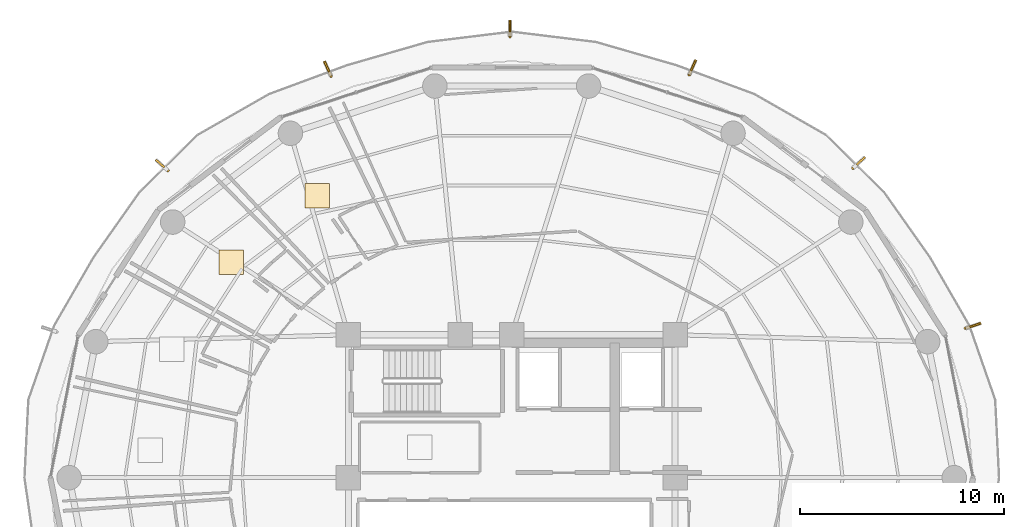
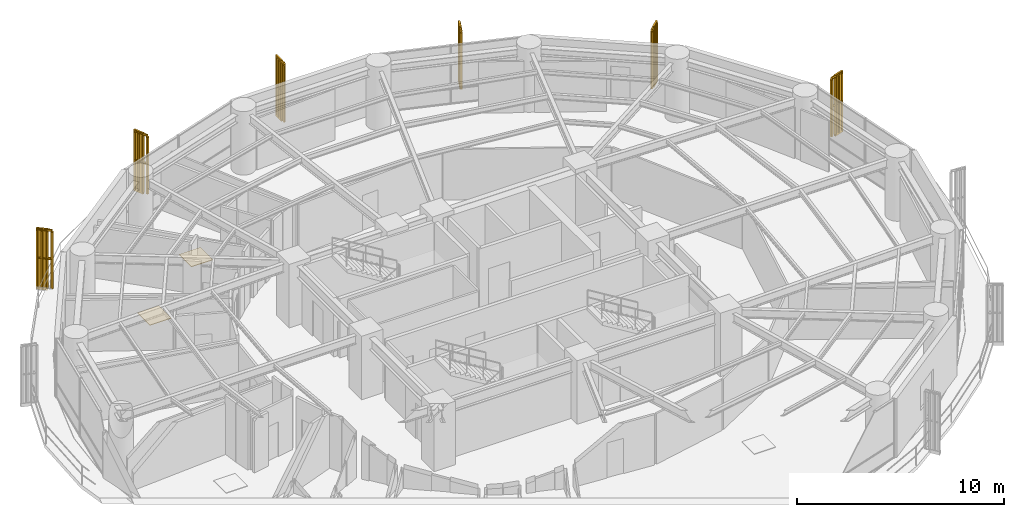
# One storey, part 28 of 28: 6 railings, 6 shading devices, 2 coverings.
"""IFC4 building model written with IfcOpenShell, lengths in metres."""

import ifcopenshell
import ifcopenshell.guid

model = None  # the IFC model being written
_history = None  # IfcOwnerHistory: only IFC2X3 demands one
_inside = {}  # id of a spatial element -> (the spatial element, [elements in it])
_under = {}  # id of a project, library or spatial element -> (it, [spatial elements below it])
_declared = {}  # id of a project -> (the project, [libraries it declares])
_typed = {}  # id of a type object -> (the type object, [elements of that type])
_made_of = {}  # id of a material, layer set ... -> (it, [elements and type objects made of it])


def new_model(schema):
    """Start an empty IFC model of exactly this schema.

    Asked for "IFC4X3", IfcOpenShell would pick the latest addendum, in which some entities
    have other attributes; the version numbers below select the first issue.
    IFC2X3 requires an IfcOwnerHistory on every rooted entity: one is made here for all.
    """
    global model, _history
    if schema == "IFC4X3":
        model = ifcopenshell.file(schema_version=(4, 3, 0, 0))
    else:
        model = ifcopenshell.file(schema=schema)
    _inside.clear()
    _under.clear()
    _declared.clear()
    _typed.clear()
    _made_of.clear()
    _history = None
    if model.schema == "IFC2X3":
        org = make("IfcOrganization", Name="unknown")
        user = make(
            "IfcPersonAndOrganization",
            ThePerson=make("IfcPerson", FamilyName="unknown"),
            TheOrganization=org,
        )
        app = make(
            "IfcApplication",
            ApplicationDeveloper=org,
            Version="unknown",
            ApplicationFullName="unknown",
            ApplicationIdentifier="unknown",
        )
        _history = make(
            "IfcOwnerHistory",
            OwningUser=user,
            OwningApplication=app,
            ChangeAction="ADDED",
            CreationDate=0,
        )
    return model


def make(cls, **values):
    """One entity of the class cls with the attributes given. An attribute that is None is left unset."""
    return model.create_entity(
        cls, **{name: value for name, value in values.items() if value is not None}
    )


def rooted(cls, **values):
    """An entity with a GlobalId (a new one), such as an element, a storey or a relation."""
    return make(cls, GlobalId=ifcopenshell.guid.new(), OwnerHistory=_history, **values)


def si_unit(unit_type, name, prefix=None):
    """IfcSIUnit, for example si_unit("LENGTHUNIT", "METRE", prefix="MILLI")."""
    return make("IfcSIUnit", UnitType=unit_type, Prefix=prefix, Name=name)


def assignment(units):
    """IfcUnitAssignment: the units of a project."""
    return None if units is None else make("IfcUnitAssignment", Units=units)


def point(xyz):
    """IfcCartesianPoint."""
    return None if xyz is None else make("IfcCartesianPoint", Coordinates=xyz)


def direction(xyz):
    """IfcDirection."""
    return None if xyz is None else make("IfcDirection", DirectionRatios=xyz)


def frame(location, z_axis=None, x_axis=None):
    """IfcAxis2Placement3D, a coordinate frame: its origin and axes. An axis left out is left unset."""
    return make(
        "IfcAxis2Placement3D",
        Location=point(location),
        Axis=direction(z_axis),
        RefDirection=direction(x_axis),
    )


def frame_2d(location, x_axis=None):
    """IfcAxis2Placement2D, a coordinate frame in the plane: its origin and x axis."""
    return make(
        "IfcAxis2Placement2D", Location=point(location), RefDirection=direction(x_axis)
    )


def origin():
    """The frame at (0, 0, 0) with its axes left unset."""
    return frame((0.0, 0.0, 0.0))


def origin_2d():
    """The frame at (0, 0) in the plane with its x axis left unset."""
    return frame_2d((0.0, 0.0))


def place(relative_to, where):
    """IfcLocalPlacement: puts the frame where relative to a parent placement (None: the world)."""
    return make(
        "IfcLocalPlacement", PlacementRelTo=relative_to, RelativePlacement=where
    )


def context(
    kind, dimensions, precision=None, world=None, true_north=None, identifier=None
):
    """IfcGeometricRepresentationContext, for example the 3D "Model" context."""
    return make(
        "IfcGeometricRepresentationContext",
        ContextIdentifier=identifier,
        ContextType=kind,
        CoordinateSpaceDimension=dimensions,
        Precision=precision,
        WorldCoordinateSystem=world,
        TrueNorth=true_north,
    )


def subcontext(parent, identifier, kind, view, scale=None):
    """IfcGeometricRepresentationSubContext, for example "Body" below "Model"."""
    return make(
        "IfcGeometricRepresentationSubContext",
        ContextIdentifier=identifier,
        ContextType=kind,
        ParentContext=parent,
        TargetScale=scale,
        TargetView=view,
    )


def project(units=None, contexts=None):
    """IfcProject with its units and contexts."""
    return rooted(
        "IfcProject",
        Name="project",
        RepresentationContexts=contexts,
        UnitsInContext=assignment(units),
    )


def spatial(cls, under=None, at=None, **own):
    """A site, building, storey or space (cls), placed at a placement, below another one or the project."""
    s = rooted(cls, ObjectPlacement=at, **own)
    if under is not None:
        _under.setdefault(under.id(), (under, []))[1].append(s)
    return s


def polyline(points):
    """IfcPolyline through the points."""
    return make("IfcPolyline", Points=[point(p) for p in points])


def profile(cls, at=None, kind="AREA", **sizes):
    """A parametric profile (cls). Its sizes go by their IFC names, for example OverallWidth=200.0."""
    return make(cls, ProfileType=kind, Position=at, **sizes)


def rectangle(**sizes):
    """IfcRectangleProfileDef."""
    return profile("IfcRectangleProfileDef", **sizes)


def outline(outer, holes=None, kind="AREA"):
    """IfcArbitraryClosedProfileDef: a profile drawn as a closed curve; with holes, ...WithVoids."""
    if holes is None:
        return make("IfcArbitraryClosedProfileDef", ProfileType=kind, OuterCurve=outer)
    return make(
        "IfcArbitraryProfileDefWithVoids",
        ProfileType=kind,
        OuterCurve=outer,
        InnerCurves=holes,
    )


def extrude(swept, where, along, depth):
    """IfcExtrudedAreaSolid: the profile swept, set in the frame where, extruded along a direction by depth."""
    return make(
        "IfcExtrudedAreaSolid",
        SweptArea=swept,
        Position=where,
        ExtrudedDirection=direction(along),
        Depth=depth,
    )


def shape(context_of_items, identifier, shape_type, items):
    """IfcShapeRepresentation: the items that make up one representation, for example the "Body"."""
    return make(
        "IfcShapeRepresentation",
        ContextOfItems=context_of_items,
        RepresentationIdentifier=identifier,
        RepresentationType=shape_type,
        Items=items,
    )


def source(mapping_origin, context_of_items, identifier, shape_type, items):
    """IfcRepresentationMap: a shape defined once, which mapped items show again and again."""
    return make(
        "IfcRepresentationMap",
        MappingOrigin=mapping_origin,
        MappedRepresentation=shape(context_of_items, identifier, shape_type, items),
    )


def transform(
    local_origin,
    x_axis=None,
    y_axis=None,
    z_axis=None,
    scale=None,
    scale2=None,
    scale3=None,
    uniform=True,
):
    """IfcCartesianTransformationOperator3D, or its non-uniform kind. x_axis, y_axis, z_axis: its Axis1, 2, 3."""
    if uniform:
        return make(
            "IfcCartesianTransformationOperator3D",
            Axis1=direction(x_axis),
            Axis2=direction(y_axis),
            LocalOrigin=point(local_origin),
            Scale=scale,
            Axis3=direction(z_axis),
        )
    return make(
        "IfcCartesianTransformationOperator3DnonUniform",
        Axis1=direction(x_axis),
        Axis2=direction(y_axis),
        LocalOrigin=point(local_origin),
        Scale=scale,
        Axis3=direction(z_axis),
        Scale2=scale2,
        Scale3=scale3,
    )


def mapped(mapping_source, mapping_target):
    """IfcMappedItem: shows the shape of a source again, moved by a transform."""
    return make(
        "IfcMappedItem", MappingSource=mapping_source, MappingTarget=mapping_target
    )


def material(Name=None, Category=None):
    """IfcMaterial."""
    return make("IfcMaterial", Name=Name, Category=Category)


def layer(
    of_material, thickness, ventilated=None, Name=None, Category=None, Priority=None
):
    """IfcMaterialLayer: one layer of a wall or slab, of a material (None: an air gap)."""
    return make(
        "IfcMaterialLayer",
        Material=of_material,
        LayerThickness=thickness,
        IsVentilated=ventilated,
        Name=Name,
        Category=Category,
        Priority=Priority,
    )


def layer_set(layers, Name=None):
    """IfcMaterialLayerSet."""
    return make("IfcMaterialLayerSet", MaterialLayers=layers, LayerSetName=Name)


def made_of(thing, what):
    """Note that an element or type object is made of a material, layer set ...; save() writes the relation."""
    if what is not None:
        _made_of.setdefault(what.id(), (what, []))[1].append(thing)
    return thing


def type_object(cls, material=None, **own):
    """A type object (cls), such as IfcWallType, which elements share."""
    return made_of(rooted(cls, **own), material)


def element(
    cls,
    number,
    at=None,
    inside=None,
    cuts=None,
    type_object=None,
    material=None,
    context=None,
    identifier="Body",
    shape_type=None,
    held_by="IfcProductDefinitionShape",
    body=None,
    shapes=None,
    **own,
):
    """One element of the class cls, such as IfcWall. Its Tag is "e" and its number.

    at: its placement. inside: the storey or other place that contains it. cuts: it is an
    opening in that element (IfcRelVoidsElement). A single representation is given by context,
    identifier, shape_type and body (its items); several are given by shapes. held_by: the class
    of the entity that holds the representations. save() writes the other relations.
    """
    e = rooted(cls, Tag="e%d" % number, ObjectPlacement=at, **own)
    if body is not None:
        shapes = [shape(context, identifier, shape_type, body)]
    if shapes is not None:
        e.Representation = make(held_by, Representations=shapes)
    if inside is not None:
        _inside.setdefault(inside.id(), (inside, []))[1].append(e)
    if cuts is not None:
        rooted(
            "IfcRelVoidsElement", RelatingBuildingElement=cuts, RelatedOpeningElement=e
        )
    if type_object is not None:
        _typed.setdefault(type_object.id(), (type_object, []))[1].append(e)
    return made_of(e, material)


def aggregate(whole, parts):
    """IfcRelAggregates: a whole, such as a stair, and the parts it consists of."""
    return rooted("IfcRelAggregates", RelatingObject=whole, RelatedObjects=parts)


def save(model, path):
    """Write the relations noted so far, then the file.

    IfcRelAggregates (storeys below a building ...), IfcRelContainedInSpatialStructure (elements
    in a storey), IfcRelDefinesByType, IfcRelAssociatesMaterial and IfcRelDeclares: one each for
    every whole, place, type object, material and project.
    """
    for whole, parts in _under.values():
        aggregate(whole, parts)
    for where, things in _inside.values():
        rooted(
            "IfcRelContainedInSpatialStructure",
            RelatedElements=things,
            RelatingStructure=where,
        )
    for kind, things in _typed.values():
        rooted("IfcRelDefinesByType", RelatedObjects=things, RelatingType=kind)
    for what, things in _made_of.values():
        rooted("IfcRelAssociatesMaterial", RelatedObjects=things, RelatingMaterial=what)
    for by, libraries in _declared.values():
        rooted("IfcRelDeclares", RelatingContext=by, RelatedDefinitions=libraries)
    model.write(path)


model = new_model("IFC4")

# Units and contexts
model_context = context("Model", 3, precision=1e-05, world=origin(), true_north=direction((0.0, 1.0)))
body_context = subcontext(model_context, "Body", "Model", "MODEL_VIEW")
ifc_project = project(units=[si_unit("LENGTHUNIT", "METRE"), si_unit("AREAUNIT", "SQUARE_METRE"), si_unit("VOLUMEUNIT", "CUBIC_METRE"), si_unit("PLANEANGLEUNIT", "RADIAN"), si_unit("MASSUNIT", "GRAM", prefix="KILO")], contexts=[model_context])

# Site, building, storey
site_placement = place(None, origin())
site = spatial("IfcSite", under=ifc_project, at=site_placement, CompositionType="ELEMENT")
building_placement = place(site_placement, origin())
building = spatial("IfcBuilding", under=site, at=building_placement, Name="Kelanora Arch Commons", CompositionType="ELEMENT")
storey_placement = place(building_placement, frame((0.0, 0.0, 139.35009765625)))
storey = spatial("IfcBuildingStorey", under=building, at=storey_placement, Name="L35", CompositionType="ELEMENT", Elevation=139.35009765625)

# Railings
ifc_material_1 = material(Name="Anodised bronze vertical shading fin rib assembly")
railing_type = type_object("IfcRailingType", Name="RAIL-FIN-BRZ", PredefinedType="BALUSTRADE", material=ifc_material_1)
railing_1_placement = place(storey_placement, frame((96.2275390625, 65.31787109375, -0.02001953125)))
element("IfcRailing", 1, at=railing_1_placement, inside=storey, type_object=railing_type, Name="Sweeping Bronze Vertical Fin Blade L35-00", PredefinedType="BALUSTRADE", context=body_context, shape_type="SweptSolid", body=[
    extrude(outline(polyline([(0.06982421875, 0.0), (0.034912109375, 0.060546875), (-0.034912109375, 0.060546875), (-0.06982421875, 0.0), (-0.034912109375, -0.060546875), (0.034912109375, -0.060546875), (0.06982421875, 0.0)])), frame((0.0, 0.0, 3.419921875), z_axis=(0.949778451394, 0.312923142749, 0.0), x_axis=(-0.312923142749, 0.949778451394, 0.0)), (0.0, 0.0, 1.0), 0.73193359375),
    extrude(outline(polyline([(0.06982421875, 0.0), (0.034912109375, 0.060546875), (-0.034912109375, 0.060546875), (-0.06982421875, 0.0), (-0.034912109375, -0.060546875), (0.034912109375, -0.060546875), (0.06982421875, 0.0)])), frame((0.0, 0.0, 1.7451171875), z_axis=(0.949778451394, 0.312923142749, 0.0), x_axis=(-0.312923142749, 0.949778451394, 0.0)), (0.0, 0.0, 1.0), 0.73193359375),
    extrude(outline(polyline([(0.080078125, 0.0), (0.0400390625, 0.0693359375), (-0.0400390625, 0.0693359375), (-0.080078125, 0.0), (-0.0400390625, -0.0693359375), (0.0400390625, -0.0693359375), (0.080078125, 0.0)])), origin(), (0.0, 0.0, 1.0), 3.35009765625),
    extrude(outline(polyline([(0.080078125, 0.0), (0.0400390625, 0.0693359375), (-0.0400390625, 0.0693359375), (-0.080078125, 0.0), (-0.0400390625, -0.0693359375), (0.0400390625, -0.0693359375), (0.080078125, 0.0)])), frame((0.231689453125, 0.076416015625, 0.0)), (0.0, 0.0, 1.0), 3.35009765625),
    extrude(outline(polyline([(0.080078125, 0.0), (0.0400390625, 0.0693359375), (-0.0400390625, 0.0693359375), (-0.080078125, 0.0), (-0.0400390625, -0.0693359375), (0.0400390625, -0.0693359375), (0.080078125, 0.0)])), frame((0.46337890625, 0.152587890625, 0.0)), (0.0, 0.0, 1.0), 3.35009765625),
    extrude(outline(polyline([(0.080078125, 0.0), (0.0400390625, 0.0693359375), (-0.0400390625, 0.0693359375), (-0.080078125, 0.0), (-0.0400390625, -0.0693359375), (0.0400390625, -0.0693359375), (0.080078125, 0.0)])), frame((0.695068359375, 0.22900390625, 0.0)), (0.0, 0.0, 1.0), 3.35009765625),
])
railing_2_placement = place(storey_placement, frame((90.718994140625, 73.172119140625, -0.02001953125)))
element("IfcRailing", 2, at=railing_2_placement, inside=storey, type_object=railing_type, Name="Sweeping Bronze Vertical Fin Blade L35-01", PredefinedType="BALUSTRADE", context=body_context, shape_type="SweptSolid", body=[
    extrude(outline(polyline([(0.06982421875, 0.0), (0.034912109375, 0.060546875), (-0.034912109375, 0.060546875), (-0.06982421875, 0.0), (-0.034912109375, -0.060546875), (0.034912109375, -0.060546875), (0.06982421875, 0.0)])), frame((0.0, 0.0, 3.419921875), z_axis=(0.740468082639, 0.672091525458, 0.0), x_axis=(-0.672091525458, 0.740468082639, 0.0)), (0.0, 0.0, 1.0), 0.73193359375),
    extrude(outline(polyline([(0.06982421875, 0.0), (0.034912109375, 0.060546875), (-0.034912109375, 0.060546875), (-0.06982421875, 0.0), (-0.034912109375, -0.060546875), (0.034912109375, -0.060546875), (0.06982421875, 0.0)])), frame((0.0, 0.0, 1.7451171875), z_axis=(0.740468082639, 0.672091525458, 0.0), x_axis=(-0.672091525458, 0.740468082639, 0.0)), (0.0, 0.0, 1.0), 0.73193359375),
    extrude(outline(polyline([(0.080078125, 0.0), (0.0400390625, 0.0693359375), (-0.0400390625, 0.0693359375), (-0.080078125, 0.0), (-0.0400390625, -0.0693359375), (0.0400390625, -0.0693359375), (0.080078125, 0.0)])), origin(), (0.0, 0.0, 1.0), 3.35009765625),
    extrude(outline(polyline([(0.080078125, 0.0), (0.0400390625, 0.0693359375), (-0.0400390625, 0.0693359375), (-0.080078125, 0.0), (-0.0400390625, -0.0693359375), (0.0400390625, -0.0693359375), (0.080078125, 0.0)])), frame((0.1806640625, 0.1640625, 0.0)), (0.0, 0.0, 1.0), 3.35009765625),
    extrude(outline(polyline([(0.080078125, 0.0), (0.0400390625, 0.0693359375), (-0.0400390625, 0.0693359375), (-0.080078125, 0.0), (-0.0400390625, -0.0693359375), (0.0400390625, -0.0693359375), (0.080078125, 0.0)])), frame((0.361328125, 0.327880859375, 0.0)), (0.0, 0.0, 1.0), 3.35009765625),
    extrude(outline(polyline([(0.080078125, 0.0), (0.0400390625, 0.0693359375), (-0.0400390625, 0.0693359375), (-0.080078125, 0.0), (-0.0400390625, -0.0693359375), (0.0400390625, -0.0693359375), (0.080078125, 0.0)])), frame((0.5419921875, 0.491943359375, 0.0)), (0.0, 0.0, 1.0), 3.35009765625),
])
railing_3_placement = place(storey_placement, frame((82.6962890625, 77.73828125, -0.02001953125)))
element("IfcRailing", 3, at=railing_3_placement, inside=storey, type_object=railing_type, Name="Sweeping Bronze Vertical Fin Blade L35-02", PredefinedType="BALUSTRADE", context=body_context, shape_type="SweptSolid", body=[
    extrude(outline(polyline([(0.06982421875, 0.0), (0.034912109375, 0.060546875), (-0.034912109375, 0.060546875), (-0.06982421875, 0.0), (-0.034912109375, -0.060546875), (0.034912109375, -0.060546875), (0.06982421875, 0.0)])), frame((0.0, 0.0, 3.419921875), z_axis=(0.403040480937, 0.915182151665, 0.0), x_axis=(-0.915182151665, 0.403040480937, 0.0)), (0.0, 0.0, 1.0), 0.731689453125),
    extrude(outline(polyline([(0.06982421875, 0.0), (0.034912109375, 0.060546875), (-0.034912109375, 0.060546875), (-0.06982421875, 0.0), (-0.034912109375, -0.060546875), (0.034912109375, -0.060546875), (0.06982421875, 0.0)])), frame((0.0, 0.0, 1.7451171875), z_axis=(0.403040480937, 0.915182151665, 0.0), x_axis=(-0.915182151665, 0.403040480937, 0.0)), (0.0, 0.0, 1.0), 0.731689453125),
    extrude(outline(polyline([(0.080078125, 0.0), (0.0400390625, 0.0693359375), (-0.0400390625, 0.0693359375), (-0.080078125, 0.0), (-0.0400390625, -0.0693359375), (0.0400390625, -0.0693359375), (0.080078125, 0.0)])), origin(), (0.0, 0.0, 1.0), 3.35009765625),
    extrude(outline(polyline([(0.080078125, 0.0), (0.0400390625, 0.0693359375), (-0.0400390625, 0.0693359375), (-0.080078125, 0.0), (-0.0400390625, -0.0693359375), (0.0400390625, -0.0693359375), (0.080078125, 0.0)])), frame((0.098388671875, 0.22314453125, 0.0)), (0.0, 0.0, 1.0), 3.35009765625),
    extrude(outline(polyline([(0.080078125, 0.0), (0.0400390625, 0.0693359375), (-0.0400390625, 0.0693359375), (-0.080078125, 0.0), (-0.0400390625, -0.0693359375), (0.0400390625, -0.0693359375), (0.080078125, 0.0)])), frame((0.196533203125, 0.446533203125, 0.0)), (0.0, 0.0, 1.0), 3.35009765625),
    extrude(outline(polyline([(0.080078125, 0.0), (0.0400390625, 0.0693359375), (-0.0400390625, 0.0693359375), (-0.080078125, 0.0), (-0.0400390625, -0.0693359375), (0.0400390625, -0.0693359375), (0.080078125, 0.0)])), frame((0.294921875, 0.669677734375, 0.0)), (0.0, 0.0, 1.0), 3.35009765625),
])
railing_4_placement = place(storey_placement, frame((73.916015625, 79.61865234375, -0.02001953125)))
element("IfcRailing", 4, at=railing_4_placement, inside=storey, type_object=railing_type, Name="Sweeping Bronze Vertical Fin Blade L35-03", PredefinedType="BALUSTRADE", context=body_context, shape_type="SweptSolid", body=[
    extrude(outline(polyline([(0.06982421875, 0.0), (0.034912109375, 0.060546875), (-0.034912109375, 0.060546875), (-0.06982421875, 0.0), (-0.034912109375, -0.060546875), (0.034912109375, -0.060546875), (0.06982421875, 0.0)])), frame((0.0, 0.0, 3.419921875), z_axis=(-0.004003971908, 0.999991984072, 0.0), x_axis=(-0.999991984072, -0.004003971908, 0.0)), (0.0, 0.0, 1.0), 0.731689453125),
    extrude(outline(polyline([(0.06982421875, 0.0), (0.034912109375, 0.060546875), (-0.034912109375, 0.060546875), (-0.06982421875, 0.0), (-0.034912109375, -0.060546875), (0.034912109375, -0.060546875), (0.06982421875, 0.0)])), frame((0.0, 0.0, 1.7451171875), z_axis=(-0.004003971908, 0.999991984072, 0.0), x_axis=(-0.999991984072, -0.004003971908, 0.0)), (0.0, 0.0, 1.0), 0.731689453125),
    extrude(outline(polyline([(0.080078125, 0.0), (0.0400390625, 0.0693359375), (-0.0400390625, 0.0693359375), (-0.080078125, 0.0), (-0.0400390625, -0.0693359375), (0.0400390625, -0.0693359375), (0.080078125, 0.0)])), origin(), (0.0, 0.0, 1.0), 3.35009765625),
    extrude(outline(polyline([(0.080078125, 0.0), (0.0400390625, 0.0693359375), (-0.0400390625, 0.0693359375), (-0.080078125, 0.0), (-0.0400390625, -0.0693359375), (0.0400390625, -0.0693359375), (0.080078125, 0.0)])), frame((-0.0009765625, 0.243896484375, 0.0)), (0.0, 0.0, 1.0), 3.35009765625),
    extrude(outline(polyline([(0.080078125, 0.0), (0.0400390625, 0.0693359375), (-0.0400390625, 0.0693359375), (-0.080078125, 0.0), (-0.0400390625, -0.0693359375), (0.0400390625, -0.0693359375), (0.080078125, 0.0)])), frame((-0.001953125, 0.48779296875, 0.0)), (0.0, 0.0, 1.0), 3.35009765625),
    extrude(outline(polyline([(0.080078125, 0.0), (0.0400390625, 0.0693359375), (-0.0400390625, 0.0693359375), (-0.080078125, 0.0), (-0.0400390625, -0.0693359375), (0.0400390625, -0.0693359375), (0.080078125, 0.0)])), frame((-0.0029296875, 0.731689453125, 0.0)), (0.0, 0.0, 1.0), 3.35009765625),
])
railing_5_placement = place(storey_placement, frame((65.14599609375, 77.68017578125, -0.02001953125)))
element("IfcRailing", 5, at=railing_5_placement, inside=storey, type_object=railing_type, Name="Sweeping Bronze Vertical Fin Blade L35-04", PredefinedType="BALUSTRADE", context=body_context, shape_type="SweptSolid", body=[
    extrude(outline(polyline([(0.06982421875, 0.0), (0.034912109375, 0.060546875), (-0.034912109375, 0.060546875), (-0.06982421875, 0.0), (-0.034912109375, -0.060546875), (0.034912109375, -0.060546875), (0.06982421875, 0.0)])), frame((0.0, 0.0, 3.419921875), z_axis=(-0.410406298148, 0.911902774664, 0.0), x_axis=(-0.911902774664, -0.410406298148, 0.0)), (0.0, 0.0, 1.0), 0.731689453125),
    extrude(outline(polyline([(0.06982421875, 0.0), (0.034912109375, 0.060546875), (-0.034912109375, 0.060546875), (-0.06982421875, 0.0), (-0.034912109375, -0.060546875), (0.034912109375, -0.060546875), (0.06982421875, 0.0)])), frame((0.0, 0.0, 1.7451171875), z_axis=(-0.410406298148, 0.911902774664, 0.0), x_axis=(-0.911902774664, -0.410406298148, 0.0)), (0.0, 0.0, 1.0), 0.731689453125),
    extrude(outline(polyline([(0.080078125, 0.0), (0.0400390625, 0.0693359375), (-0.0400390625, 0.0693359375), (-0.080078125, 0.0), (-0.0400390625, -0.0693359375), (0.0400390625, -0.0693359375), (0.080078125, 0.0)])), origin(), (0.0, 0.0, 1.0), 3.35009765625),
    extrude(outline(polyline([(0.080078125, 0.0), (0.0400390625, 0.0693359375), (-0.0400390625, 0.0693359375), (-0.080078125, 0.0), (-0.0400390625, -0.0693359375), (0.0400390625, -0.0693359375), (0.080078125, 0.0)])), frame((-0.10009765625, 0.222412109375, 0.0)), (0.0, 0.0, 1.0), 3.35009765625),
    extrude(outline(polyline([(0.080078125, 0.0), (0.0400390625, 0.0693359375), (-0.0400390625, 0.0693359375), (-0.080078125, 0.0), (-0.0400390625, -0.0693359375), (0.0400390625, -0.0693359375), (0.080078125, 0.0)])), frame((-0.2001953125, 0.44482421875, 0.0)), (0.0, 0.0, 1.0), 3.35009765625),
    extrude(outline(polyline([(0.080078125, 0.0), (0.0400390625, 0.0693359375), (-0.0400390625, 0.0693359375), (-0.080078125, 0.0), (-0.0400390625, -0.0693359375), (0.0400390625, -0.0693359375), (0.080078125, 0.0)])), frame((-0.30029296875, 0.667236328125, 0.0)), (0.0, 0.0, 1.0), 3.35009765625),
])
railing_6_placement = place(storey_placement, frame((57.155517578125, 73.048583984375, -0.02001953125)))
element("IfcRailing", 6, at=railing_6_placement, inside=storey, type_object=railing_type, Name="Sweeping Bronze Vertical Fin Blade L35-05", PredefinedType="BALUSTRADE", context=body_context, shape_type="SweptSolid", body=[
    extrude(outline(polyline([(0.06982421875, 0.0), (0.034912109375, 0.060546875), (-0.034912109375, 0.060546875), (-0.06982421875, 0.0), (-0.034912109375, -0.060546875), (0.034912109375, -0.060546875), (0.06982421875, 0.0)])), frame((0.0, 0.0, 3.419921875), z_axis=(-0.745694897149, 0.66628756582, 0.0), x_axis=(-0.66628756582, -0.745694897149, 0.0)), (0.0, 0.0, 1.0), 0.731689453125),
    extrude(outline(polyline([(0.06982421875, 0.0), (0.034912109375, 0.060546875), (-0.034912109375, 0.060546875), (-0.06982421875, 0.0), (-0.034912109375, -0.060546875), (0.034912109375, -0.060546875), (0.06982421875, 0.0)])), frame((0.0, 0.0, 1.7451171875), z_axis=(-0.745694897149, 0.66628756582, 0.0), x_axis=(-0.66628756582, -0.745694897149, 0.0)), (0.0, 0.0, 1.0), 0.731689453125),
    extrude(outline(polyline([(0.080078125, 0.0), (0.0400390625, 0.0693359375), (-0.0400390625, 0.0693359375), (-0.080078125, 0.0), (-0.0400390625, -0.0693359375), (0.0400390625, -0.0693359375), (0.080078125, 0.0)])), origin(), (0.0, 0.0, 1.0), 3.35009765625),
    extrude(outline(polyline([(0.080078125, 0.0), (0.0400390625, 0.0693359375), (-0.0400390625, 0.0693359375), (-0.080078125, 0.0), (-0.0400390625, -0.0693359375), (0.0400390625, -0.0693359375), (0.080078125, 0.0)])), frame((-0.181884765625, 0.16259765625, 0.0)), (0.0, 0.0, 1.0), 3.35009765625),
    extrude(outline(polyline([(0.080078125, 0.0), (0.0400390625, 0.0693359375), (-0.0400390625, 0.0693359375), (-0.080078125, 0.0), (-0.0400390625, -0.0693359375), (0.0400390625, -0.0693359375), (0.080078125, 0.0)])), frame((-0.36376953125, 0.324951171875, 0.0)), (0.0, 0.0, 1.0), 3.35009765625),
    extrude(outline(polyline([(0.080078125, 0.0), (0.0400390625, 0.0693359375), (-0.0400390625, 0.0693359375), (-0.080078125, 0.0), (-0.0400390625, -0.0693359375), (0.0400390625, -0.0693359375), (0.080078125, 0.0)])), frame((-0.545654296875, 0.487548828125, 0.0)), (0.0, 0.0, 1.0), 3.35009765625),
])

# Shading devices
ifc_material_2 = material(Name="Terracotta ceramic-clad extruded aluminium fin", Category="masonry")
shading_device_type = type_object("IfcShadingDeviceType", Name="SHD-FIN-WAIST", PredefinedType="USERDEFINED", material=ifc_material_2)
shared_shape_1 = source(origin(), body_context, "Body", "SweptSolid", [
    extrude(rectangle(XDim=0.56005859375, YDim=0.090087890625, at=origin_2d()), origin(), (0.0, 0.0, 1.0), 3.610107421875),
])
for number, where, z_axis, x_axis, name in (
    (7, (96.7080078125, 65.47607421875, -0.14013671875), (0.0, 0.0, 1.0), (0.949862968197, 0.312666502279, 0.0), "Sweeping Terracotta Fin L35-00"),
    (8, (91.09375, 73.51220703125, -0.14013671875), (0.0, 0.0, 1.0), (0.74057007644, 0.671979137981, 0.0), "Sweeping Terracotta Fin L35-01"),
    (9, (82.900146484375, 78.201416015625, -0.14013671875), (0.0, 0.0, 1.0), (0.403225890599, 0.915100475986, 0.0), "Sweeping Terracotta Fin L35-02"),
    (10, (73.913818359375, 80.12451171875, -0.14013671875), (0.0, 0.0, 1.0), (-0.003839714919, 0.999992628267, 0.0), "Sweeping Terracotta Fin L35-03"),
    (11, (64.9384765625, 78.141357421875, -0.14013671875), (0.0, 0.0, 1.0), (-0.410241398845, 0.911976970473, 0.0), "Sweeping Terracotta Fin L35-04"),
    (12, (56.7783203125, 73.385498046875, -0.14013671875), (0.0, 0.0, 1.0), (-0.745708617985, 0.666272209433, 0.0), "Sweeping Terracotta Fin L35-05"),
):
    element("IfcShadingDevice", number, at=place(storey_placement, frame(where, z_axis=z_axis, x_axis=x_axis)), inside=storey, type_object=shading_device_type, Name=name, ObjectType="FIN", PredefinedType="USERDEFINED", context=body_context, shape_type="MappedRepresentation", body=[
        mapped(shared_shape_1, transform((0.0, 0.0, 0.0), scale=1.0)),
    ])

# Coverings
ifc_material_3 = material(Name="Polished local granite terrazzo flooring", Category="masonry")
ifc_layer = layer(ifc_material_3, 0.030029296875)
ifc_layer_set = layer_set([ifc_layer], Name="Polished local granite terrazzo flooring")
covering_type = type_object("IfcCoveringType", Name="COV-FLR-TER", PredefinedType="FLOORING", material=ifc_layer_set)
shared_shape_2 = source(origin(), body_context, "Body", "SweptSolid", [
    extrude(rectangle(XDim=1.199951171875, YDim=1.199951171875, at=origin_2d()), origin(), (0.0, 0.0, 1.0), 0.030029296875),
])
for number, where, z_axis, x_axis, name in (
    (13, (64.47265625, 71.8046875, 0.0), (0.0, 0.0, 1.0), (1.0, 0.0, 0.0), "Cluster Bedroom L35-01 Terrazzo Finish"),
    (14, (60.259521484375, 68.544921875, 0.0), (0.0, 0.0, 1.0), (1.0, 0.0, 0.0), "Cluster Bedroom L35-02 Terrazzo Finish"),
):
    element("IfcCovering", number, at=place(storey_placement, frame(where, z_axis=z_axis, x_axis=x_axis)), inside=storey, type_object=covering_type, Name=name, PredefinedType="FLOORING", context=body_context, shape_type="MappedRepresentation", body=[
        mapped(shared_shape_2, transform((0.0, 0.0, 0.0), scale=1.0)),
    ])

save(model, "model.ifc")
